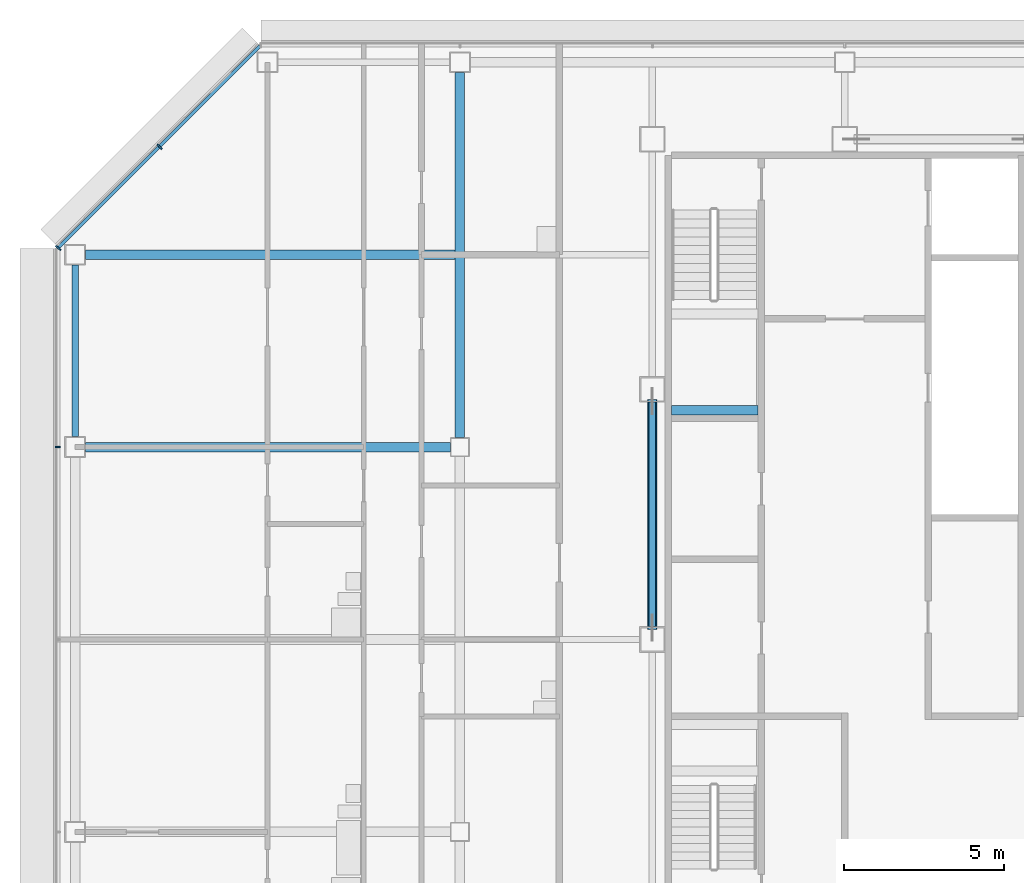
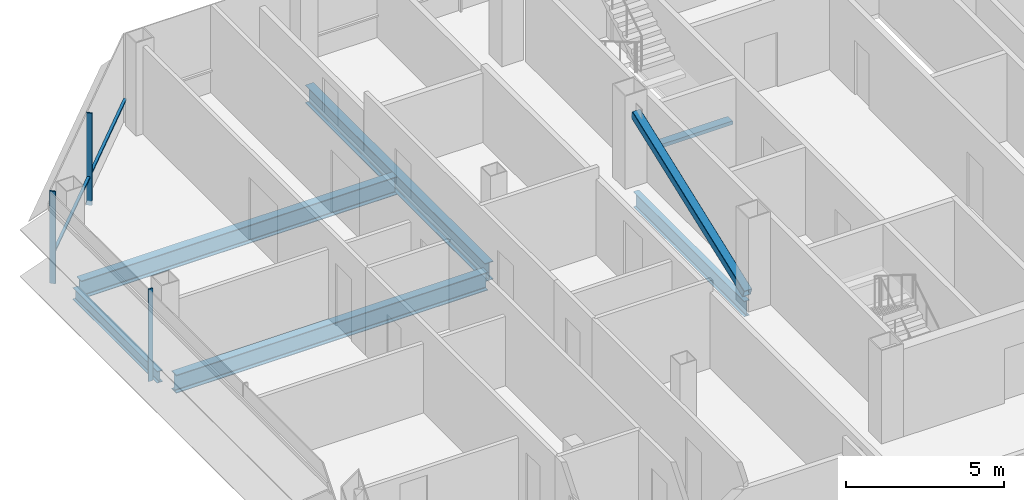
# One storey, part 11 of 27: 6 beams, 5 members, 2 elements without a shape of their own.
"""IFC4 building model written with IfcOpenShell, lengths in metres."""

from ifc_helpers import new_model, si_unit, direction, frame, origin, origin_2d, place, context, subcontext, project, spatial, rectangle, hollow_rectangle, i_section, extrude, material, material_profile, profile_set, type_object, element, aggregate, save


model = new_model("IFC4")

# Units and contexts
model_context = context("Model", 3, precision=1e-05, world=origin(), true_north=direction((0.0, 1.0)))
body_context = subcontext(model_context, "Body", "Model", "MODEL_VIEW")
ifc_project = project(units=[si_unit("LENGTHUNIT", "METRE"), si_unit("AREAUNIT", "SQUARE_METRE"), si_unit("VOLUMEUNIT", "CUBIC_METRE"), si_unit("PLANEANGLEUNIT", "RADIAN"), si_unit("MASSUNIT", "GRAM", prefix="KILO")], contexts=[model_context])

# Site, building, storey
site_placement = place(None, origin())
site = spatial("IfcSite", under=ifc_project, at=site_placement, CompositionType="ELEMENT")
building_placement = place(site_placement, origin())
building = spatial("IfcBuilding", under=site, at=building_placement, Name="Sorahane Residences", CompositionType="ELEMENT")
storey_placement = place(building_placement, frame((0.0, 0.0, 206.39990234375)))
storey = spatial("IfcBuildingStorey", under=building, at=storey_placement, Name="L48", CompositionType="ELEMENT", Elevation=206.39990234375)

# Member
ifc_material_1 = material(Name="Steel Q355B", Category="steel")
ifc_material_profile_1 = material_profile(ifc_material_1, hollow_rectangle(XDim=0.300048828125, YDim=0.300048828125, WallThickness=0.01611328125, InnerFilletRadius=0.008056640625, OuterFilletRadius=0.02392578125, at=origin_2d()), Name="RHS 300x300x16")
ifc_profile_set_1 = profile_set([ifc_material_profile_1], Name="Steel Q355B")
member_type_1 = type_object("IfcMemberType", Name="Core brace RHS 300x300x16 Q355B", PredefinedType="BRACE", material=ifc_profile_set_1)
member_1_placement = place(storey_placement, frame((6.0, 30.368408203125, 0.13818359375), z_axis=(0.0, 0.936106926968, 0.351715540291), x_axis=(-1.0, 0.0, 0.0)))
element("IfcMember", 1, at=member_1_placement, inside=storey, type_object=member_type_1, Name="Core brace L48 x6-2", PredefinedType="BRACE", context=body_context, shape_type="SweptSolid", body=[
    extrude(hollow_rectangle(XDim=0.300048828125, YDim=0.300048828125, WallThickness=0.01611328125, InnerFilletRadius=0.008056640625, OuterFilletRadius=0.02392578125, at=origin_2d()), origin(), (0.0, 0.0, 1.0), 7.54541015625),
])

# Curtain wall, member
ifc_material_2 = material(Name="Dark low-e glass and black anodised aluminium", Category="aluminium")
curtain_wall_type_1 = type_object("IfcCurtainWallType", Name="Curtain wall CW-1 Typical unitised wall", PredefinedType="NOTDEFINED", material=ifc_material_2)
curtain_wall_1_placement = place(storey_placement, origin())
curtain_wall_1 = element("IfcCurtainWall", 2, at=curtain_wall_1_placement, inside=storey, type_object=curtain_wall_type_1, Name="CW-1 curtain wall L48 W1", PredefinedType="NOTDEFINED")
ifc_material_3 = material(Name="Black anodised aluminium", Category="aluminium")
ifc_material_profile_2 = material_profile(ifc_material_3, rectangle(XDim=0.159912109375, YDim=0.050048828125, at=origin_2d()), Name="Curtain wall mullion CW-1 black anodised aluminium 50x160")
ifc_profile_set_2 = profile_set([ifc_material_profile_2], Name="Black anodised aluminium")
member_type_2 = type_object("IfcMemberType", Name="Curtain wall mullion CW-1 black anodised aluminium 50x160", PredefinedType="MULLION", material=ifc_profile_set_2)
member_2_placement = place(storey_placement, frame((-12.5400390625, 36.0, -0.179931640625), z_axis=(0.0, 0.0, 1.0), x_axis=(-1.0, 0.0, 0.0)))
member_2 = element("IfcMember", 3, at=member_2_placement, type_object=member_type_2, Name="CW-1 mullion L48 W1.2", PredefinedType="MULLION", context=body_context, shape_type="SweptSolid", body=[
    extrude(rectangle(XDim=0.159912109375, YDim=0.050048828125, at=origin_2d()), origin(), (0.0, 0.0, 1.0), 3.56005859375),
])
aggregate(curtain_wall_1, [member_2])

# Curtain wall, members
ifc_material_4 = material(Name="Dark low-e glass and black anodised aluminium", Category="aluminium")
curtain_wall_type_2 = type_object("IfcCurtainWallType", Name="Curtain wall CW-2 Chamfer unitised wall", PredefinedType="NOTDEFINED", material=ifc_material_4)
curtain_wall_2_placement = place(storey_placement, origin())
curtain_wall_2 = element("IfcCurtainWall", 4, at=curtain_wall_2_placement, inside=storey, type_object=curtain_wall_type_2, Name="CW-2 curtain wall L48 NW1", PredefinedType="NOTDEFINED")
ifc_material_5 = material(Name="Black anodised aluminium", Category="aluminium")
ifc_material_profile_3 = material_profile(ifc_material_5, rectangle(XDim=0.199951171875, YDim=0.050048828125, at=origin_2d()), Name="Curtain wall mullion CW-2 black anodised aluminium 50x200")
ifc_profile_set_3 = profile_set([ifc_material_profile_3], Name="Black anodised aluminium")
member_type_3 = type_object("IfcMemberType", Name="Curtain wall mullion CW-2 black anodised aluminium 50x200", PredefinedType="MULLION", material=ifc_profile_set_3)
member_3_placement = place(storey_placement, frame((-9.36767578125, 45.36767578125, -0.179931640625), z_axis=(0.0, 0.0, 1.0), x_axis=(-0.707106781187, 0.707106781187, 0.0)))
member_3 = element("IfcMember", 5, at=member_3_placement, type_object=member_type_3, Name="CW-2 mullion L48 NW1.2", PredefinedType="MULLION", context=body_context, shape_type="SweptSolid", body=[
    extrude(rectangle(XDim=0.199951171875, YDim=0.050048828125, at=origin_2d()), origin(), (0.0, 0.0, 1.0), 3.56005859375),
])
member_4_placement = place(storey_placement, frame((-12.525634765625, 42.209716796875, -0.179931640625), z_axis=(0.0, 0.0, 1.0), x_axis=(-0.707106781187, 0.707106781187, 0.0)))
member_4 = element("IfcMember", 6, at=member_4_placement, type_object=member_type_3, Name="CW-2 mullion L48 NW1.3", PredefinedType="MULLION", context=body_context, shape_type="SweptSolid", body=[
    extrude(rectangle(XDim=0.199951171875, YDim=0.050048828125, at=origin_2d()), origin(), (0.0, 0.0, 1.0), 3.56005859375),
])
ifc_material_6 = material(Name="Black anodised aluminium", Category="aluminium")
ifc_material_profile_4 = material_profile(ifc_material_6, rectangle(XDim=0.10009765625, YDim=0.06005859375, at=origin_2d()), Name="Curtain wall transom CW-2 black anodised aluminium 60x100")
ifc_profile_set_4 = profile_set([ifc_material_profile_4], Name="Black anodised aluminium")
member_type_4 = type_object("IfcMemberType", Name="Curtain wall transom CW-2 black anodised aluminium 60x100", PredefinedType="USERDEFINED", material=ifc_profile_set_4)
member_5_placement = place(storey_placement, frame((-6.234375, 48.51513671875, 0.900146484375), z_axis=(-0.707106781187, -0.707106781187, 0.0), x_axis=(0.707106781187, -0.707106781187, 0.0)))
member_5 = element("IfcMember", 7, at=member_5_placement, type_object=member_type_4, Name="CW-2 transom L48 NW1", ObjectType="TRANSOM", PredefinedType="USERDEFINED", context=body_context, shape_type="SweptSolid", body=[
    extrude(rectangle(XDim=0.10009765625, YDim=0.06005859375, at=origin_2d()), origin(), (0.0, 0.0, 1.0), 8.88232421875),
])
aggregate(curtain_wall_2, [member_3, member_4, member_5])

# Beams
ifc_material_7 = material(Name="Concrete C40", Category="concrete")
ifc_material_profile_5 = material_profile(ifc_material_7, rectangle(XDim=0.300048828125, YDim=0.139892578125, at=origin_2d()), Name="300x140")
ifc_profile_set_5 = profile_set([ifc_material_profile_5], Name="Concrete C40")
beam_type_1 = type_object("IfcBeamType", Name="RC landing beam 300 x 140 Concrete C40", PredefinedType="BEAM", material=ifc_profile_set_5)
beam_1_placement = place(storey_placement, frame((6.60009765625, 37.14990234375, 1.530029296875), z_axis=(1.0, 0.0, 0.0), x_axis=(0.0, 1.0, 0.0)))
element("IfcBeam", 8, at=beam_1_placement, inside=storey, type_object=beam_type_1, Name="Landing beam", PredefinedType="BEAM", context=body_context, shape_type="SweptSolid", body=[
    extrude(rectangle(XDim=0.300048828125, YDim=0.139892578125, at=origin_2d()), origin(), (0.0, 0.0, 1.0), 2.699951171875),
])
ifc_material_8 = material(Name="Steel Q355B", Category="steel")
ifc_material_profile_6 = material_profile(ifc_material_8, i_section(OverallWidth=0.199951171875, OverallDepth=0.449951171875, WebThickness=0.009033203125, FlangeThickness=0.013916015625, FilletRadius=0.02001953125, at=origin_2d()), Name="HN 450x200x9x14")
ifc_profile_set_6 = profile_set([ifc_material_profile_6], Name="Steel Q355B")
beam_type_2 = type_object("IfcBeamType", Name="Steel floor beam HN 450x200x9x14 Q355B", PredefinedType="BEAM", material=ifc_profile_set_6)
beam_2_placement = place(storey_placement, frame((-12.0, 36.324951171875, -0.40478515625), z_axis=(0.0, 1.0, 0.0), x_axis=(-1.0, 0.0, 0.0)))
element("IfcBeam", 9, at=beam_2_placement, inside=storey, type_object=beam_type_2, Name="Beam L48 023", PredefinedType="BEAM", context=body_context, shape_type="SweptSolid", body=[
    extrude(i_section(OverallWidth=0.199951171875, OverallDepth=0.449951171875, WebThickness=0.009033203125, FlangeThickness=0.013916015625, FilletRadius=0.02001953125, at=origin_2d()), origin(), (0.0, 0.0, 1.0), 5.35009765625),
])
ifc_material_9 = material(Name="Steel Q355B", Category="steel")
ifc_material_profile_7 = material_profile(ifc_material_9, i_section(OverallWidth=0.199951171875, OverallDepth=0.60009765625, WebThickness=0.010986328125, FlangeThickness=0.01708984375, FilletRadius=0.02392578125, at=origin_2d()), Name="HN 600x200x11x17")
ifc_profile_set_7 = profile_set([ifc_material_profile_7], Name="Steel Q355B")
beam_type_3 = type_object("IfcBeamType", Name="Steel floor beam HN 600x200x11x17 Q355B", PredefinedType="BEAM", material=ifc_profile_set_7)
beam_3_placement = place(storey_placement, frame((6.0, 30.39990234375, -0.47998046875), z_axis=(0.0, 1.0, 0.0), x_axis=(-1.0, 0.0, 0.0)))
element("IfcBeam", 10, at=beam_3_placement, inside=storey, type_object=beam_type_3, Name="Beam L48 031", PredefinedType="BEAM", context=body_context, shape_type="SweptSolid", body=[
    extrude(i_section(OverallWidth=0.199951171875, OverallDepth=0.60009765625, WebThickness=0.010986328125, FlangeThickness=0.01708984375, FilletRadius=0.02392578125, at=origin_2d()), origin(), (0.0, 0.0, 1.0), 7.0),
])
ifc_material_10 = material(Name="Steel Q355B", Category="steel")
ifc_material_profile_8 = material_profile(ifc_material_10, i_section(OverallWidth=0.300048828125, OverallDepth=0.699951171875, WebThickness=0.012939453125, FlangeThickness=0.02392578125, FilletRadius=0.028076171875, at=origin_2d()), Name="HN 700x300x13x24")
ifc_profile_set_8 = profile_set([ifc_material_profile_8], Name="Steel Q355B")
beam_type_4 = type_object("IfcBeamType", Name="Steel floor beam HN 700x300x13x24 Q355B", PredefinedType="BEAM", material=ifc_profile_set_8)
for number, where, z_axis, x_axis, name in (
    (11, (-11.675048828125, 36.0, -0.52978515625), (1.0, 0.0, 0.0), (0.0, 1.0, 0.0), "Beam L48 013"),
    (12, (0.0, 36.300048828125, -0.52978515625), (0.0, 1.0, 0.0), (-1.0, 0.0, 0.0), "Beam L48 027"),
):
    element("IfcBeam", number, at=place(storey_placement, frame(where, z_axis=z_axis, x_axis=x_axis)), inside=storey, type_object=beam_type_4, Name=name, PredefinedType="BEAM", context=body_context, shape_type="SweptSolid", body=[
        extrude(i_section(OverallWidth=0.300048828125, OverallDepth=0.699951171875, WebThickness=0.012939453125, FlangeThickness=0.02392578125, FilletRadius=0.028076171875, at=origin_2d()), origin(), (0.0, 0.0, 1.0), 11.375),
    ])
beam_4_placement = place(storey_placement, frame((-11.675048828125, 42.0, -0.52978515625), z_axis=(1.0, 0.0, 0.0), x_axis=(0.0, 1.0, 0.0)))
element("IfcBeam", 13, at=beam_4_placement, inside=storey, type_object=beam_type_4, Name="Beam L48 089", PredefinedType="BEAM", context=body_context, shape_type="SweptSolid", body=[
    extrude(i_section(OverallWidth=0.300048828125, OverallDepth=0.699951171875, WebThickness=0.012939453125, FlangeThickness=0.02392578125, FilletRadius=0.028076171875, at=origin_2d()), origin(), (0.0, 0.0, 1.0), 11.525146484375),
])

save(model, "model.ifc")
